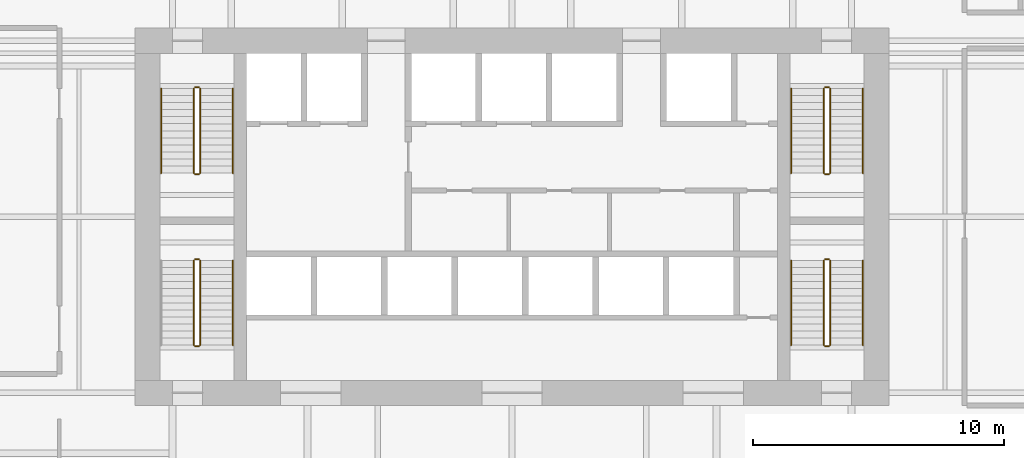
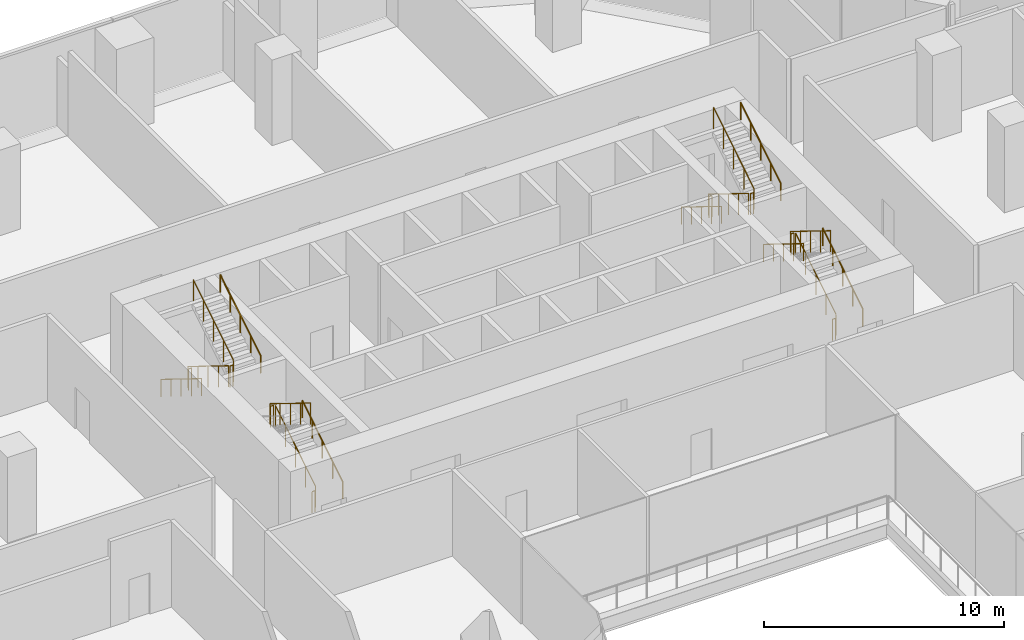
# One storey, part 19 of 19: 23 railings.
"""IFC4 building model written with IfcOpenShell, lengths in metres."""

from ifc_helpers import new_model, si_unit, direction, frame, origin, origin_2d, place, context, subcontext, project, spatial, circle, extrude, material, type_object, element, save


model = new_model("IFC4")

# Units and contexts
model_context = context("Model", 3, precision=1e-05, world=origin(), true_north=direction((0.0, 1.0)))
body_context = subcontext(model_context, "Body", "Model", "MODEL_VIEW")
ifc_project = project(units=[si_unit("LENGTHUNIT", "METRE"), si_unit("AREAUNIT", "SQUARE_METRE"), si_unit("VOLUMEUNIT", "CUBIC_METRE"), si_unit("PLANEANGLEUNIT", "RADIAN"), si_unit("MASSUNIT", "GRAM", prefix="KILO")], contexts=[model_context])

# Site, building, storey
site_placement = place(None, origin())
site = spatial("IfcSite", under=ifc_project, at=site_placement, CompositionType="ELEMENT")
building_placement = place(site_placement, origin())
building = spatial("IfcBuilding", under=site, at=building_placement, Name="Isthmus Gate Tower", CompositionType="ELEMENT")
storey_placement = place(building_placement, frame((0.0, 0.0, 76.14990234375)))
storey = spatial("IfcBuildingStorey", under=building, at=storey_placement, Name="L17", CompositionType="ELEMENT", Elevation=76.14990234375)

# Railings
ifc_material_1 = material(Name="Stainless steel balustrade", Category="steel")
railing_type_1 = type_object("IfcRailingType", Name="STAIR GUARD 1100", PredefinedType="GUARDRAIL", material=ifc_material_1)
railing_1_placement = place(storey_placement, frame((-12.64990234375, 12.60009765625, 0.173095703125)))
element("IfcRailing", 1, at=railing_1_placement, inside=storey, type_object=railing_type_1, Name="L17 ST1 stair guard 1", PredefinedType="GUARDRAIL", context=body_context, shape_type="SweptSolid", body=[
    extrude(circle(Radius=0.02392578125, at=origin_2d()), frame((0.0, 0.0, 1.076171875), z_axis=(0.0, -0.850623216509, 0.525775754039), x_axis=(1.0, 0.0, 0.0)), (0.0, 0.0, 1.0), 3.9501953125),
    extrude(circle(Radius=0.02099609375, at=origin_2d()), origin(), (0.0, 0.0, 1.0), 1.052001953125),
    extrude(circle(Radius=0.02099609375, at=origin_2d()), frame((0.0, -0.840087890625, 0.519287109375)), (0.0, 0.0, 1.0), 1.052001953125),
    extrude(circle(Radius=0.02099609375, at=origin_2d()), frame((0.0, -1.68017578125, 1.03857421875)), (0.0, 0.0, 1.0), 1.052001953125),
    extrude(circle(Radius=0.02099609375, at=origin_2d()), frame((0.0, -2.52001953125, 1.5576171875)), (0.0, 0.0, 1.0), 1.052001953125),
    extrude(circle(Radius=0.02099609375, at=origin_2d()), frame((0.0, -3.360107421875, 2.076904296875)), (0.0, 0.0, 1.0), 1.052001953125),
])
railing_2_placement = place(storey_placement, frame((-12.60009765625, 9.18994140625, 2.25)))
element("IfcRailing", 2, at=railing_2_placement, inside=storey, type_object=railing_type_1, Name="L17 ST1 stair guard 2", PredefinedType="GUARDRAIL", context=body_context, shape_type="SweptSolid", body=[
    extrude(circle(Radius=0.02392578125, at=origin_2d()), frame((0.0, 0.0, 1.076171875), z_axis=(1.0, 0.0, 0.0), x_axis=(0.0, 1.0, 0.0)), (0.0, 0.0, 1.0), 0.150146484375),
    extrude(circle(Radius=0.02099609375, at=origin_2d()), origin(), (0.0, 0.0, 1.0), 1.052001953125),
    extrude(circle(Radius=0.02099609375, at=origin_2d()), frame((0.150146484375, 0.0, 0.0)), (0.0, 0.0, 1.0), 1.052001953125),
])
railing_3_placement = place(storey_placement, frame((-12.39990234375, 9.239990234375, 2.423095703125)))
element("IfcRailing", 3, at=railing_3_placement, inside=storey, type_object=railing_type_1, Name="L17 ST1 stair guard 3", PredefinedType="GUARDRAIL", context=body_context, shape_type="SweptSolid", body=[
    extrude(circle(Radius=0.02392578125, at=origin_2d()), frame((0.0, 0.0, 1.076171875), z_axis=(0.0, 0.850623216509, 0.525775754039), x_axis=(-1.0, 0.0, 0.0)), (0.0, 0.0, 1.0), 3.9501953125),
    extrude(circle(Radius=0.02099609375, at=origin_2d()), origin(), (0.0, 0.0, 1.0), 1.052001953125),
    extrude(circle(Radius=0.02099609375, at=origin_2d()), frame((0.0, 0.840087890625, 0.519287109375)), (0.0, 0.0, 1.0), 1.052001953125),
    extrude(circle(Radius=0.02099609375, at=origin_2d()), frame((0.0, 1.68017578125, 1.03857421875)), (0.0, 0.0, 1.0), 1.052001953125),
    extrude(circle(Radius=0.02099609375, at=origin_2d()), frame((0.0, 2.52001953125, 1.5576171875)), (0.0, 0.0, 1.0), 1.052001953125),
    extrude(circle(Radius=0.02099609375, at=origin_2d()), frame((0.0, 3.360107421875, 2.076904296875)), (0.0, 0.0, 1.0), 1.052001953125),
])
railing_4_placement = place(storey_placement, frame((-12.60009765625, 12.64990234375, 0.0)))
element("IfcRailing", 4, at=railing_4_placement, inside=storey, type_object=railing_type_1, Name="L17 ST1 stair guard 4", PredefinedType="GUARDRAIL", context=body_context, shape_type="SweptSolid", body=[
    extrude(circle(Radius=0.02392578125, at=origin_2d()), frame((0.0, 0.0, 1.076171875), z_axis=(1.0, 0.0, 0.0), x_axis=(0.0, 1.0, 0.0)), (0.0, 0.0, 1.0), 0.150146484375),
    extrude(circle(Radius=0.02099609375, at=origin_2d()), origin(), (0.0, 0.0, 1.0), 1.052001953125),
    extrude(circle(Radius=0.02099609375, at=origin_2d()), frame((0.150146484375, 0.0, 0.0)), (0.0, 0.0, 1.0), 1.052001953125),
])
railing_5_placement = place(storey_placement, frame((12.39990234375, 12.60009765625, 0.173095703125)))
element("IfcRailing", 5, at=railing_5_placement, inside=storey, type_object=railing_type_1, Name="L17 ST2 stair guard 1", PredefinedType="GUARDRAIL", context=body_context, shape_type="SweptSolid", body=[
    extrude(circle(Radius=0.02392578125, at=origin_2d()), frame((0.0, 0.0, 1.076171875), z_axis=(0.0, -0.850623216509, 0.525775754039), x_axis=(1.0, 0.0, 0.0)), (0.0, 0.0, 1.0), 3.9501953125),
    extrude(circle(Radius=0.02099609375, at=origin_2d()), origin(), (0.0, 0.0, 1.0), 1.052001953125),
    extrude(circle(Radius=0.02099609375, at=origin_2d()), frame((0.0, -0.840087890625, 0.519287109375)), (0.0, 0.0, 1.0), 1.052001953125),
    extrude(circle(Radius=0.02099609375, at=origin_2d()), frame((0.0, -1.68017578125, 1.03857421875)), (0.0, 0.0, 1.0), 1.052001953125),
    extrude(circle(Radius=0.02099609375, at=origin_2d()), frame((0.0, -2.52001953125, 1.5576171875)), (0.0, 0.0, 1.0), 1.052001953125),
    extrude(circle(Radius=0.02099609375, at=origin_2d()), frame((0.0, -3.360107421875, 2.076904296875)), (0.0, 0.0, 1.0), 1.052001953125),
])
railing_6_placement = place(storey_placement, frame((12.449951171875, 9.18994140625, 2.25)))
element("IfcRailing", 6, at=railing_6_placement, inside=storey, type_object=railing_type_1, Name="L17 ST2 stair guard 2", PredefinedType="GUARDRAIL", context=body_context, shape_type="SweptSolid", body=[
    extrude(circle(Radius=0.02392578125, at=origin_2d()), frame((0.0, 0.0, 1.076171875), z_axis=(1.0, 0.0, 0.0), x_axis=(0.0, 1.0, 0.0)), (0.0, 0.0, 1.0), 0.150146484375),
    extrude(circle(Radius=0.02099609375, at=origin_2d()), origin(), (0.0, 0.0, 1.0), 1.052001953125),
    extrude(circle(Radius=0.02099609375, at=origin_2d()), frame((0.150146484375, 0.0, 0.0)), (0.0, 0.0, 1.0), 1.052001953125),
])
railing_7_placement = place(storey_placement, frame((12.64990234375, 9.239990234375, 2.423095703125)))
element("IfcRailing", 7, at=railing_7_placement, inside=storey, type_object=railing_type_1, Name="L17 ST2 stair guard 3", PredefinedType="GUARDRAIL", context=body_context, shape_type="SweptSolid", body=[
    extrude(circle(Radius=0.02392578125, at=origin_2d()), frame((0.0, 0.0, 1.076171875), z_axis=(0.0, 0.850623216509, 0.525775754039), x_axis=(-1.0, 0.0, 0.0)), (0.0, 0.0, 1.0), 3.9501953125),
    extrude(circle(Radius=0.02099609375, at=origin_2d()), origin(), (0.0, 0.0, 1.0), 1.052001953125),
    extrude(circle(Radius=0.02099609375, at=origin_2d()), frame((0.0, 0.840087890625, 0.519287109375)), (0.0, 0.0, 1.0), 1.052001953125),
    extrude(circle(Radius=0.02099609375, at=origin_2d()), frame((0.0, 1.68017578125, 1.03857421875)), (0.0, 0.0, 1.0), 1.052001953125),
    extrude(circle(Radius=0.02099609375, at=origin_2d()), frame((0.0, 2.52001953125, 1.5576171875)), (0.0, 0.0, 1.0), 1.052001953125),
    extrude(circle(Radius=0.02099609375, at=origin_2d()), frame((0.0, 3.360107421875, 2.076904296875)), (0.0, 0.0, 1.0), 1.052001953125),
])
railing_8_placement = place(storey_placement, frame((12.449951171875, 12.64990234375, 0.0)))
element("IfcRailing", 8, at=railing_8_placement, inside=storey, type_object=railing_type_1, Name="L17 ST2 stair guard 4", PredefinedType="GUARDRAIL", context=body_context, shape_type="SweptSolid", body=[
    extrude(circle(Radius=0.02392578125, at=origin_2d()), frame((0.0, 0.0, 1.076171875), z_axis=(1.0, 0.0, 0.0), x_axis=(0.0, 1.0, 0.0)), (0.0, 0.0, 1.0), 0.150146484375),
    extrude(circle(Radius=0.02099609375, at=origin_2d()), origin(), (0.0, 0.0, 1.0), 1.052001953125),
    extrude(circle(Radius=0.02099609375, at=origin_2d()), frame((0.150146484375, 0.0, 0.0)), (0.0, 0.0, 1.0), 1.052001953125),
])
railing_9_placement = place(storey_placement, frame((-12.39990234375, 2.39990234375, 0.173095703125)))
element("IfcRailing", 9, at=railing_9_placement, inside=storey, type_object=railing_type_1, Name="L17 ST7 stair guard 1", PredefinedType="GUARDRAIL", context=body_context, shape_type="SweptSolid", body=[
    extrude(circle(Radius=0.02392578125, at=origin_2d()), frame((0.0, 0.0, 1.076171875), z_axis=(0.0, 0.850623216509, 0.525775754039), x_axis=(-1.0, 0.0, 0.0)), (0.0, 0.0, 1.0), 3.9501953125),
    extrude(circle(Radius=0.02099609375, at=origin_2d()), origin(), (0.0, 0.0, 1.0), 1.052001953125),
    extrude(circle(Radius=0.02099609375, at=origin_2d()), frame((0.0, 0.840087890625, 0.519287109375)), (0.0, 0.0, 1.0), 1.052001953125),
    extrude(circle(Radius=0.02099609375, at=origin_2d()), frame((0.0, 1.68017578125, 1.03857421875)), (0.0, 0.0, 1.0), 1.052001953125),
    extrude(circle(Radius=0.02099609375, at=origin_2d()), frame((0.0, 2.52001953125, 1.5576171875)), (0.0, 0.0, 1.0), 1.052001953125),
    extrude(circle(Radius=0.02099609375, at=origin_2d()), frame((0.0, 3.360107421875, 2.076904296875)), (0.0, 0.0, 1.0), 1.052001953125),
])
railing_10_placement = place(storey_placement, frame((-12.449951171875, 5.81005859375, 2.25)))
element("IfcRailing", 10, at=railing_10_placement, inside=storey, type_object=railing_type_1, Name="L17 ST7 stair guard 2", PredefinedType="GUARDRAIL", context=body_context, shape_type="SweptSolid", body=[
    extrude(circle(Radius=0.02392578125, at=origin_2d()), frame((0.0, 0.0, 1.076171875), z_axis=(-1.0, 0.0, 0.0), x_axis=(0.0, -1.0, 0.0)), (0.0, 0.0, 1.0), 0.150146484375),
    extrude(circle(Radius=0.02099609375, at=origin_2d()), origin(), (0.0, 0.0, 1.0), 1.052001953125),
    extrude(circle(Radius=0.02099609375, at=origin_2d()), frame((-0.150146484375, 0.0, 0.0)), (0.0, 0.0, 1.0), 1.052001953125),
])
railing_11_placement = place(storey_placement, frame((-12.64990234375, 5.760009765625, 2.423095703125)))
element("IfcRailing", 11, at=railing_11_placement, inside=storey, type_object=railing_type_1, Name="L17 ST7 stair guard 3", PredefinedType="GUARDRAIL", context=body_context, shape_type="SweptSolid", body=[
    extrude(circle(Radius=0.02392578125, at=origin_2d()), frame((0.0, 0.0, 1.076171875), z_axis=(0.0, -0.850623216509, 0.525775754039), x_axis=(1.0, 0.0, 0.0)), (0.0, 0.0, 1.0), 3.9501953125),
    extrude(circle(Radius=0.02099609375, at=origin_2d()), origin(), (0.0, 0.0, 1.0), 1.052001953125),
    extrude(circle(Radius=0.02099609375, at=origin_2d()), frame((0.0, -0.840087890625, 0.519287109375)), (0.0, 0.0, 1.0), 1.052001953125),
    extrude(circle(Radius=0.02099609375, at=origin_2d()), frame((0.0, -1.68017578125, 1.03857421875)), (0.0, 0.0, 1.0), 1.052001953125),
    extrude(circle(Radius=0.02099609375, at=origin_2d()), frame((0.0, -2.52001953125, 1.5576171875)), (0.0, 0.0, 1.0), 1.052001953125),
    extrude(circle(Radius=0.02099609375, at=origin_2d()), frame((0.0, -3.360107421875, 2.076904296875)), (0.0, 0.0, 1.0), 1.052001953125),
])
railing_12_placement = place(storey_placement, frame((-12.449951171875, 2.35009765625, 0.0)))
element("IfcRailing", 12, at=railing_12_placement, inside=storey, type_object=railing_type_1, Name="L17 ST7 stair guard 4", PredefinedType="GUARDRAIL", context=body_context, shape_type="SweptSolid", body=[
    extrude(circle(Radius=0.02392578125, at=origin_2d()), frame((0.0, 0.0, 1.076171875), z_axis=(-1.0, 0.0, 0.0), x_axis=(0.0, -1.0, 0.0)), (0.0, 0.0, 1.0), 0.150146484375),
    extrude(circle(Radius=0.02099609375, at=origin_2d()), origin(), (0.0, 0.0, 1.0), 1.052001953125),
    extrude(circle(Radius=0.02099609375, at=origin_2d()), frame((-0.150146484375, 0.0, 0.0)), (0.0, 0.0, 1.0), 1.052001953125),
])
railing_13_placement = place(storey_placement, frame((12.64990234375, 2.39990234375, 0.173095703125)))
element("IfcRailing", 13, at=railing_13_placement, inside=storey, type_object=railing_type_1, Name="L17 ST8 stair guard 1", PredefinedType="GUARDRAIL", context=body_context, shape_type="SweptSolid", body=[
    extrude(circle(Radius=0.02392578125, at=origin_2d()), frame((0.0, 0.0, 1.076171875), z_axis=(0.0, 0.850623216509, 0.525775754039), x_axis=(-1.0, 0.0, 0.0)), (0.0, 0.0, 1.0), 3.9501953125),
    extrude(circle(Radius=0.02099609375, at=origin_2d()), origin(), (0.0, 0.0, 1.0), 1.052001953125),
    extrude(circle(Radius=0.02099609375, at=origin_2d()), frame((0.0, 0.840087890625, 0.519287109375)), (0.0, 0.0, 1.0), 1.052001953125),
    extrude(circle(Radius=0.02099609375, at=origin_2d()), frame((0.0, 1.68017578125, 1.03857421875)), (0.0, 0.0, 1.0), 1.052001953125),
    extrude(circle(Radius=0.02099609375, at=origin_2d()), frame((0.0, 2.52001953125, 1.5576171875)), (0.0, 0.0, 1.0), 1.052001953125),
    extrude(circle(Radius=0.02099609375, at=origin_2d()), frame((0.0, 3.360107421875, 2.076904296875)), (0.0, 0.0, 1.0), 1.052001953125),
])
railing_14_placement = place(storey_placement, frame((12.60009765625, 5.81005859375, 2.25)))
element("IfcRailing", 14, at=railing_14_placement, inside=storey, type_object=railing_type_1, Name="L17 ST8 stair guard 2", PredefinedType="GUARDRAIL", context=body_context, shape_type="SweptSolid", body=[
    extrude(circle(Radius=0.02392578125, at=origin_2d()), frame((0.0, 0.0, 1.076171875), z_axis=(-1.0, 0.0, 0.0), x_axis=(0.0, -1.0, 0.0)), (0.0, 0.0, 1.0), 0.150146484375),
    extrude(circle(Radius=0.02099609375, at=origin_2d()), origin(), (0.0, 0.0, 1.0), 1.052001953125),
    extrude(circle(Radius=0.02099609375, at=origin_2d()), frame((-0.150146484375, 0.0, 0.0)), (0.0, 0.0, 1.0), 1.052001953125),
])
railing_15_placement = place(storey_placement, frame((12.39990234375, 5.760009765625, 2.423095703125)))
element("IfcRailing", 15, at=railing_15_placement, inside=storey, type_object=railing_type_1, Name="L17 ST8 stair guard 3", PredefinedType="GUARDRAIL", context=body_context, shape_type="SweptSolid", body=[
    extrude(circle(Radius=0.02392578125, at=origin_2d()), frame((0.0, 0.0, 1.076171875), z_axis=(0.0, -0.850623216509, 0.525775754039), x_axis=(1.0, 0.0, 0.0)), (0.0, 0.0, 1.0), 3.9501953125),
    extrude(circle(Radius=0.02099609375, at=origin_2d()), origin(), (0.0, 0.0, 1.0), 1.052001953125),
    extrude(circle(Radius=0.02099609375, at=origin_2d()), frame((0.0, -0.840087890625, 0.519287109375)), (0.0, 0.0, 1.0), 1.052001953125),
    extrude(circle(Radius=0.02099609375, at=origin_2d()), frame((0.0, -1.68017578125, 1.03857421875)), (0.0, 0.0, 1.0), 1.052001953125),
    extrude(circle(Radius=0.02099609375, at=origin_2d()), frame((0.0, -2.52001953125, 1.5576171875)), (0.0, 0.0, 1.0), 1.052001953125),
    extrude(circle(Radius=0.02099609375, at=origin_2d()), frame((0.0, -3.360107421875, 2.076904296875)), (0.0, 0.0, 1.0), 1.052001953125),
])
railing_16_placement = place(storey_placement, frame((12.60009765625, 2.35009765625, 0.0)))
element("IfcRailing", 16, at=railing_16_placement, inside=storey, type_object=railing_type_1, Name="L17 ST8 stair guard 4", PredefinedType="GUARDRAIL", context=body_context, shape_type="SweptSolid", body=[
    extrude(circle(Radius=0.02392578125, at=origin_2d()), frame((0.0, 0.0, 1.076171875), z_axis=(-1.0, 0.0, 0.0), x_axis=(0.0, -1.0, 0.0)), (0.0, 0.0, 1.0), 0.150146484375),
    extrude(circle(Radius=0.02099609375, at=origin_2d()), origin(), (0.0, 0.0, 1.0), 1.052001953125),
    extrude(circle(Radius=0.02099609375, at=origin_2d()), frame((-0.150146484375, 0.0, 0.0)), (0.0, 0.0, 1.0), 1.052001953125),
])
ifc_material_2 = material(Name="Stainless steel handrail", Category="steel")
railing_type_2 = type_object("IfcRailingType", Name="STAIR HANDRAIL 900", PredefinedType="HANDRAIL", material=ifc_material_2)
railing_17_placement = place(storey_placement, frame((-13.949951171875, 12.60009765625, 0.173095703125)))
element("IfcRailing", 17, at=railing_17_placement, inside=storey, type_object=railing_type_2, Name="L17 ST1 stair handrail 1", PredefinedType="HANDRAIL", context=body_context, shape_type="SweptSolid", body=[
    extrude(circle(Radius=0.02392578125, at=origin_2d()), frame((0.0, 0.0, 0.8759765625), z_axis=(0.0, -0.850623216509, 0.525775754039), x_axis=(1.0, 0.0, 0.0)), (0.0, 0.0, 1.0), 3.9501953125),
    extrude(circle(Radius=0.02099609375, at=origin_2d()), origin(), (0.0, 0.0, 1.0), 0.851806640625),
    extrude(circle(Radius=0.02099609375, at=origin_2d()), frame((0.0, -0.840087890625, 0.519287109375)), (0.0, 0.0, 1.0), 0.851806640625),
    extrude(circle(Radius=0.02099609375, at=origin_2d()), frame((0.0, -1.68017578125, 1.03857421875)), (0.0, 0.0, 1.0), 0.851806640625),
    extrude(circle(Radius=0.02099609375, at=origin_2d()), frame((0.0, -2.52001953125, 1.5576171875)), (0.0, 0.0, 1.0), 0.851806640625),
    extrude(circle(Radius=0.02099609375, at=origin_2d()), frame((0.0, -3.360107421875, 2.076904296875)), (0.0, 0.0, 1.0), 0.851806640625),
])
railing_18_placement = place(storey_placement, frame((-11.10009765625, 9.239990234375, 2.423095703125)))
element("IfcRailing", 18, at=railing_18_placement, inside=storey, type_object=railing_type_2, Name="L17 ST1 stair handrail 2", PredefinedType="HANDRAIL", context=body_context, shape_type="SweptSolid", body=[
    extrude(circle(Radius=0.02392578125, at=origin_2d()), frame((0.0, 0.0, 0.8759765625), z_axis=(0.0, 0.850623216509, 0.525775754039), x_axis=(-1.0, 0.0, 0.0)), (0.0, 0.0, 1.0), 3.9501953125),
    extrude(circle(Radius=0.02099609375, at=origin_2d()), origin(), (0.0, 0.0, 1.0), 0.851806640625),
    extrude(circle(Radius=0.02099609375, at=origin_2d()), frame((0.0, 0.840087890625, 0.519287109375)), (0.0, 0.0, 1.0), 0.851806640625),
    extrude(circle(Radius=0.02099609375, at=origin_2d()), frame((0.0, 1.68017578125, 1.03857421875)), (0.0, 0.0, 1.0), 0.851806640625),
    extrude(circle(Radius=0.02099609375, at=origin_2d()), frame((0.0, 2.52001953125, 1.5576171875)), (0.0, 0.0, 1.0), 0.851806640625),
    extrude(circle(Radius=0.02099609375, at=origin_2d()), frame((0.0, 3.360107421875, 2.076904296875)), (0.0, 0.0, 1.0), 0.851806640625),
])
railing_19_placement = place(storey_placement, frame((11.10009765625, 12.60009765625, 0.173095703125)))
element("IfcRailing", 19, at=railing_19_placement, inside=storey, type_object=railing_type_2, Name="L17 ST2 stair handrail 1", PredefinedType="HANDRAIL", context=body_context, shape_type="SweptSolid", body=[
    extrude(circle(Radius=0.02392578125, at=origin_2d()), frame((0.0, 0.0, 0.8759765625), z_axis=(0.0, -0.850623216509, 0.525775754039), x_axis=(1.0, 0.0, 0.0)), (0.0, 0.0, 1.0), 3.9501953125),
    extrude(circle(Radius=0.02099609375, at=origin_2d()), origin(), (0.0, 0.0, 1.0), 0.851806640625),
    extrude(circle(Radius=0.02099609375, at=origin_2d()), frame((0.0, -0.840087890625, 0.519287109375)), (0.0, 0.0, 1.0), 0.851806640625),
    extrude(circle(Radius=0.02099609375, at=origin_2d()), frame((0.0, -1.68017578125, 1.03857421875)), (0.0, 0.0, 1.0), 0.851806640625),
    extrude(circle(Radius=0.02099609375, at=origin_2d()), frame((0.0, -2.52001953125, 1.5576171875)), (0.0, 0.0, 1.0), 0.851806640625),
    extrude(circle(Radius=0.02099609375, at=origin_2d()), frame((0.0, -3.360107421875, 2.076904296875)), (0.0, 0.0, 1.0), 0.851806640625),
])
for number, where, name in (
    (20, (13.949951171875, 9.239990234375, 2.423095703125), "L17 ST2 stair handrail 2"),
    (21, (-11.10009765625, 2.39990234375, 0.173095703125), "L17 ST7 stair handrail 1"),
    (22, (13.949951171875, 2.39990234375, 0.173095703125), "L17 ST8 stair handrail 1"),
):
    element("IfcRailing", number, at=place(storey_placement, frame(where)), inside=storey, type_object=railing_type_2, Name=name, PredefinedType="HANDRAIL", context=body_context, shape_type="SweptSolid", body=[
        extrude(circle(Radius=0.02392578125, at=origin_2d()), frame((0.0, 0.0, 0.8759765625), z_axis=(0.0, 0.850623216509, 0.525775754039), x_axis=(-1.0, 0.0, 0.0)), (0.0, 0.0, 1.0), 3.9501953125),
        extrude(circle(Radius=0.02099609375, at=origin_2d()), origin(), (0.0, 0.0, 1.0), 0.851806640625),
        extrude(circle(Radius=0.02099609375, at=origin_2d()), frame((0.0, 0.840087890625, 0.519287109375)), (0.0, 0.0, 1.0), 0.851806640625),
        extrude(circle(Radius=0.02099609375, at=origin_2d()), frame((0.0, 1.68017578125, 1.03857421875)), (0.0, 0.0, 1.0), 0.851806640625),
        extrude(circle(Radius=0.02099609375, at=origin_2d()), frame((0.0, 2.52001953125, 1.5576171875)), (0.0, 0.0, 1.0), 0.851806640625),
        extrude(circle(Radius=0.02099609375, at=origin_2d()), frame((0.0, 3.360107421875, 2.076904296875)), (0.0, 0.0, 1.0), 0.851806640625),
    ])
railing_20_placement = place(storey_placement, frame((11.10009765625, 5.760009765625, 2.423095703125)))
element("IfcRailing", 23, at=railing_20_placement, inside=storey, type_object=railing_type_2, Name="L17 ST8 stair handrail 2", PredefinedType="HANDRAIL", context=body_context, shape_type="SweptSolid", body=[
    extrude(circle(Radius=0.02392578125, at=origin_2d()), frame((0.0, 0.0, 0.8759765625), z_axis=(0.0, -0.850623216509, 0.525775754039), x_axis=(1.0, 0.0, 0.0)), (0.0, 0.0, 1.0), 3.9501953125),
    extrude(circle(Radius=0.02099609375, at=origin_2d()), origin(), (0.0, 0.0, 1.0), 0.851806640625),
    extrude(circle(Radius=0.02099609375, at=origin_2d()), frame((0.0, -0.840087890625, 0.519287109375)), (0.0, 0.0, 1.0), 0.851806640625),
    extrude(circle(Radius=0.02099609375, at=origin_2d()), frame((0.0, -1.68017578125, 1.03857421875)), (0.0, 0.0, 1.0), 0.851806640625),
    extrude(circle(Radius=0.02099609375, at=origin_2d()), frame((0.0, -2.52001953125, 1.5576171875)), (0.0, 0.0, 1.0), 0.851806640625),
    extrude(circle(Radius=0.02099609375, at=origin_2d()), frame((0.0, -3.360107421875, 2.076904296875)), (0.0, 0.0, 1.0), 0.851806640625),
])

save(model, "model.ifc")
